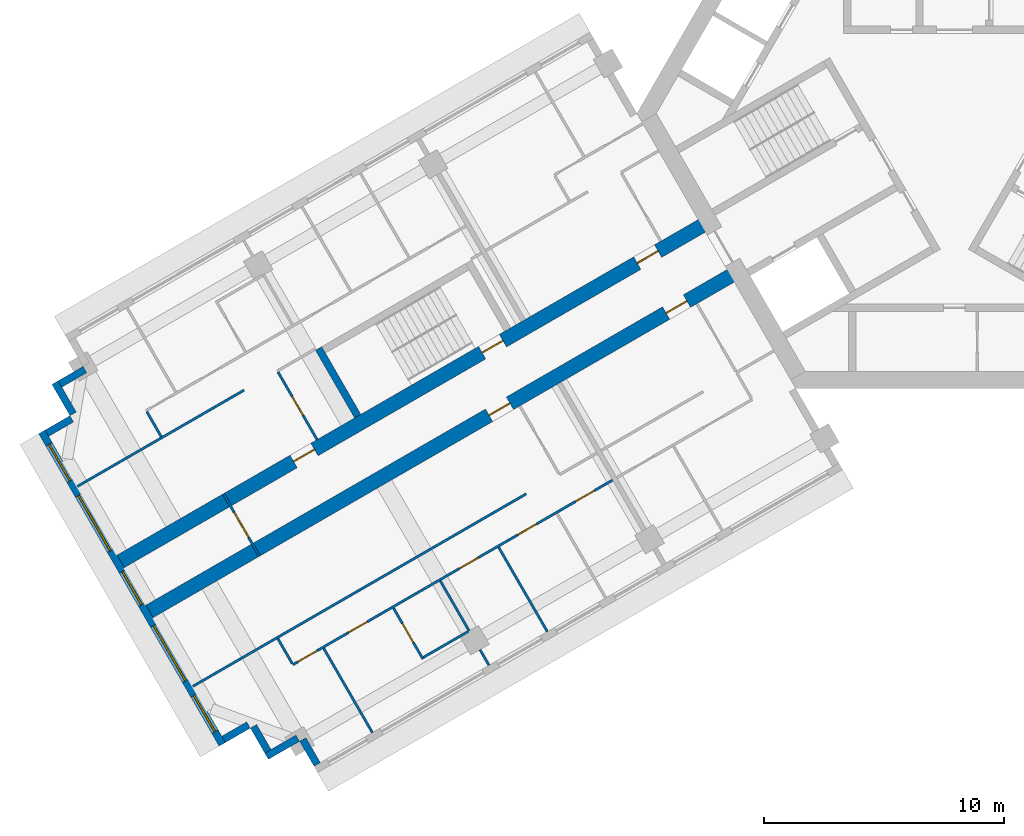
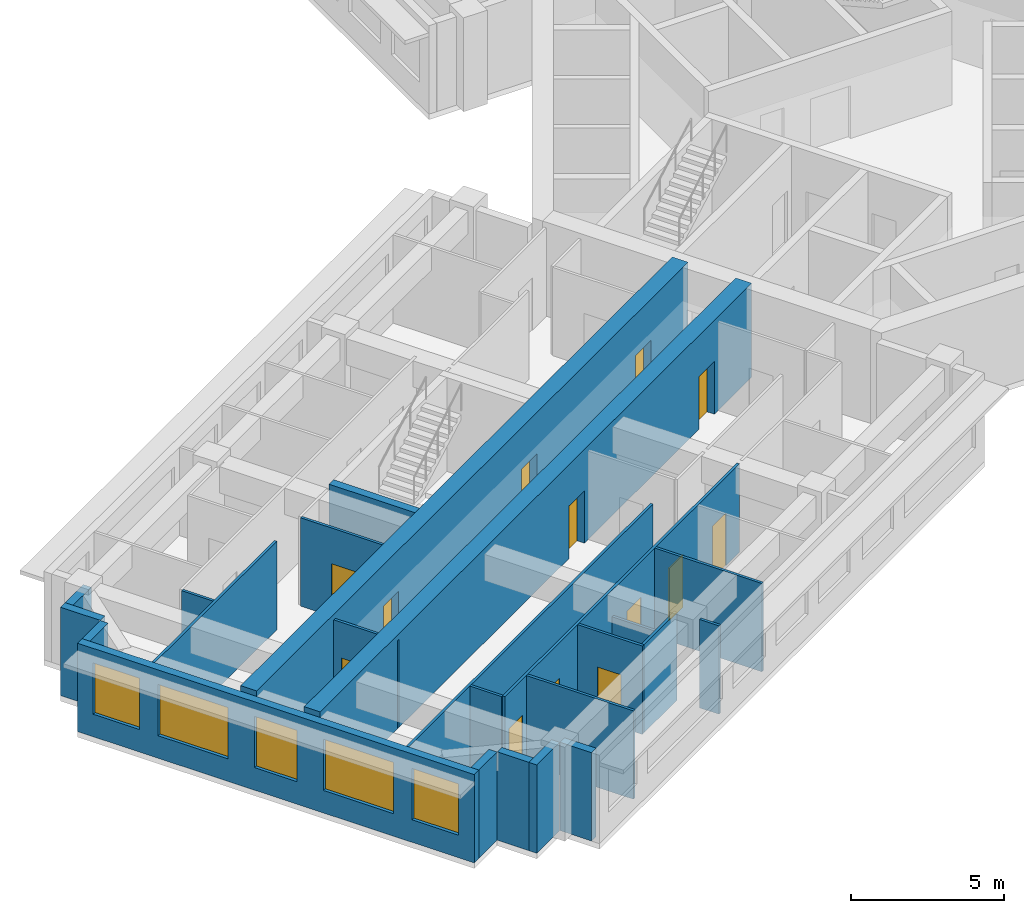
# One storey, part 2 of 12: 24 walls, 13 doors, 5 windows, 18 openings.
"""IFC4 building model written with IfcOpenShell, lengths in metres."""

from ifc_helpers import new_model, si_unit, direction, frame, frame_2d, origin, place, context, subcontext, project, spatial, rectangle, extrude, material, layer, layer_set, type_object, element, fill, save


model = new_model("IFC4")

# Units and contexts
model_context = context("Model", 3, precision=1e-05, world=origin(), true_north=direction((0.0, 1.0)))
body_context = subcontext(model_context, "Body", "Model", "MODEL_VIEW")
ifc_project = project(units=[si_unit("LENGTHUNIT", "METRE"), si_unit("AREAUNIT", "SQUARE_METRE"), si_unit("VOLUMEUNIT", "CUBIC_METRE"), si_unit("PLANEANGLEUNIT", "RADIAN"), si_unit("MASSUNIT", "GRAM", prefix="KILO")], contexts=[model_context])

# Site, building, storey
site_placement = place(None, origin())
site = spatial("IfcSite", under=ifc_project, at=site_placement, CompositionType="ELEMENT")
building_placement = place(site_placement, origin())
building = spatial("IfcBuilding", under=site, at=building_placement, Name="Impinga Residences", CompositionType="ELEMENT")
storey_placement = place(building_placement, frame((0.0, 0.0, 211.0)))
storey = spatial("IfcBuildingStorey", under=building, at=storey_placement, Name="L52", CompositionType="ELEMENT", Elevation=211.0)

# Wall, openings, doors
ifc_material_1 = material(Name="Concrete C60/75", Category="concrete")
ifc_layer_1 = layer(ifc_material_1, 0.60009765625)
ifc_layer_set_1 = layer_set([ifc_layer_1], Name="Concrete C60/75")
wall_type_1 = type_object("IfcWallType", Name="BW3 corridor buttress wall, L46 to L73 600", PredefinedType="SHEAR", material=ifc_layer_set_1)
wall_1_placement = place(storey_placement, frame((-8.996826171875, -6.580078125, 0.0), z_axis=(0.0, 0.0, 1.0), x_axis=(-0.866026415941, -0.499998246889, 0.0)))
wall_1 = element("IfcWall", 1, at=wall_1_placement, inside=storey, type_object=wall_type_1, Name="Corridor wall BW3 WC L52", PredefinedType="SHEAR", context=body_context, shape_type="SweptSolid", body=[
    extrude(rectangle(XDim=28.25, YDim=0.60009765625, at=frame_2d((14.125, 0.0))), origin(), (0.0, 0.0, 1.0), 3.75),
])
opening_1_placement = place(wall_1_placement, frame((2.449951171875, 0.0, 0.0)))
opening_1 = element("IfcOpeningElement", 2, at=opening_1_placement, cuts=wall_1, Name="Opening D1", PredefinedType="OPENING", context=body_context, shape_type="SweptSolid", body=[
    extrude(rectangle(XDim=1.0, YDim=2.10009765625, at=frame_2d((0.5, 1.050048828125))), frame((0.0, 0.31005859375, 0.0), z_axis=(0.0, -1.0, 0.0), x_axis=(1.0, 0.0, 0.0)), (0.0, 0.0, 1.0), 0.6201171875),
])
opening_2_placement = place(wall_1_placement, frame((10.949951171875, 0.0, 0.0)))
opening_2 = element("IfcOpeningElement", 3, at=opening_2_placement, cuts=wall_1, Name="Opening D1", PredefinedType="OPENING", context=body_context, shape_type="SweptSolid", body=[
    extrude(rectangle(XDim=1.0, YDim=2.10009765625, at=frame_2d((0.5, 1.050048828125))), frame((0.0, 0.31005859375, 0.0), z_axis=(0.0, -1.0, 0.0), x_axis=(1.0, 0.0, 0.0)), (0.0, 0.0, 1.0), 0.6201171875),
])
ifc_material_2 = material(Name="Timber door set", Category="wood")
door_type_1 = type_object("IfcDoorType", Name="D1 apartment entrance door 1000x2100", OperationType="SINGLE_SWING_LEFT", PredefinedType="DOOR", material=ifc_material_2)
door_1_placement = place(opening_1_placement, origin())
door_1 = element("IfcDoor", 4, at=door_1_placement, inside=storey, type_object=door_type_1, Name="Apartment L52-WA1 entrance", OperationType="SINGLE_SWING_LEFT", OverallHeight=2.10009765625, OverallWidth=1.0, PredefinedType="DOOR", context=body_context, shape_type="SweptSolid", body=[
    extrude(rectangle(XDim=1.0, YDim=2.10009765625, at=frame_2d((0.5, 1.050048828125))), frame((0.0, 0.02490234375, 0.0), z_axis=(0.0, -1.0, 0.0), x_axis=(1.0, 0.0, 0.0)), (0.0, 0.0, 1.0), 0.050048828125),
])
fill(opening_1, door_1)
door_2_placement = place(opening_2_placement, origin())
door_2 = element("IfcDoor", 5, at=door_2_placement, inside=storey, type_object=door_type_1, Name="Apartment L52-WA2 entrance", OperationType="SINGLE_SWING_LEFT", OverallHeight=2.10009765625, OverallWidth=1.0, PredefinedType="DOOR", context=body_context, shape_type="SweptSolid", body=[
    extrude(rectangle(XDim=1.0, YDim=2.10009765625, at=frame_2d((0.5, 1.050048828125))), frame((0.0, 0.02490234375, 0.0), z_axis=(0.0, -1.0, 0.0), x_axis=(1.0, 0.0, 0.0)), (0.0, 0.0, 1.0), 0.050048828125),
])
fill(opening_2, door_2)

wall_2_placement = place(storey_placement, frame((-10.19677734375, -4.50146484375, 0.0), z_axis=(0.0, 0.0, 1.0), x_axis=(-0.866026415941, -0.499998246889, 0.0)))
wall_2 = element("IfcWall", 6, at=wall_2_placement, inside=storey, type_object=wall_type_1, Name="Corridor wall BW3 WD L52", PredefinedType="SHEAR", context=body_context, shape_type="SweptSolid", body=[
    extrude(rectangle(XDim=28.25, YDim=0.60009765625, at=frame_2d((14.125, 0.0))), origin(), (0.0, 0.0, 1.0), 3.75),
])
opening_3_placement = place(wall_2_placement, frame((9.89990234375, 0.0, 0.0)))
opening_3 = element("IfcOpeningElement", 7, at=opening_3_placement, cuts=wall_2, Name="Opening D5", PredefinedType="OPENING", context=body_context, shape_type="SweptSolid", body=[
    extrude(rectangle(XDim=1.0, YDim=2.10009765625, at=frame_2d((0.5, 1.050048828125))), frame((0.0, 0.31005859375, 0.0), z_axis=(0.0, -1.0, 0.0), x_axis=(1.0, 0.0, 0.0)), (0.0, 0.0, 1.0), 0.6201171875),
])
opening_4_placement = place(wall_2_placement, frame((2.449951171875, 0.0, 0.0)))
opening_4 = element("IfcOpeningElement", 8, at=opening_4_placement, cuts=wall_2, Name="Opening D1", PredefinedType="OPENING", context=body_context, shape_type="SweptSolid", body=[
    extrude(rectangle(XDim=1.0, YDim=2.10009765625, at=frame_2d((0.5, 1.050048828125))), frame((0.0, 0.31005859375, 0.0), z_axis=(0.0, -1.0, 0.0), x_axis=(1.0, 0.0, 0.0)), (0.0, 0.0, 1.0), 0.6201171875),
])
opening_5_placement = place(wall_2_placement, frame((18.949951171875, 0.0, 0.0)))
opening_5 = element("IfcOpeningElement", 9, at=opening_5_placement, cuts=wall_2, Name="Opening D1", PredefinedType="OPENING", context=body_context, shape_type="SweptSolid", body=[
    extrude(rectangle(XDim=1.0, YDim=2.10009765625, at=frame_2d((0.5, 1.050048828125))), frame((0.0, 0.31005859375, 0.0), z_axis=(0.0, -1.0, 0.0), x_axis=(1.0, 0.0, 0.0)), (0.0, 0.0, 1.0), 0.6201171875),
])
door_3_placement = place(opening_4_placement, origin())
door_3 = element("IfcDoor", 10, at=door_3_placement, inside=storey, type_object=door_type_1, Name="Apartment L52-WF1 entrance", OperationType="SINGLE_SWING_LEFT", OverallHeight=2.10009765625, OverallWidth=1.0, PredefinedType="DOOR", context=body_context, shape_type="SweptSolid", body=[
    extrude(rectangle(XDim=1.0, YDim=2.10009765625, at=frame_2d((0.5, 1.050048828125))), frame((0.0, 0.02490234375, 0.0), z_axis=(0.0, -1.0, 0.0), x_axis=(1.0, 0.0, 0.0)), (0.0, 0.0, 1.0), 0.050048828125),
])
fill(opening_4, door_3)
door_4_placement = place(opening_5_placement, origin())
door_4 = element("IfcDoor", 11, at=door_4_placement, inside=storey, type_object=door_type_1, Name="Apartment L52-WF2 entrance", OperationType="SINGLE_SWING_RIGHT", OverallHeight=2.10009765625, OverallWidth=1.0, PredefinedType="DOOR", context=body_context, shape_type="SweptSolid", body=[
    extrude(rectangle(XDim=1.0, YDim=2.10009765625, at=frame_2d((0.5, 1.050048828125))), frame((0.0, 0.02490234375, 0.0), z_axis=(0.0, -1.0, 0.0), x_axis=(1.0, 0.0, 0.0)), (0.0, 0.0, 1.0), 0.050048828125),
])
fill(opening_5, door_4)
door_type_2 = type_object("IfcDoorType", Name="D5 stair door 1000x2100", OperationType="SINGLE_SWING_LEFT", PredefinedType="DOOR", material=ifc_material_2)
door_5_placement = place(opening_3_placement, origin())
door_5 = element("IfcDoor", 12, at=door_5_placement, inside=storey, type_object=door_type_2, Name="Wing stair door W", OperationType="SINGLE_SWING_LEFT", OverallHeight=2.10009765625, OverallWidth=1.0, PredefinedType="DOOR", context=body_context, shape_type="SweptSolid", body=[
    extrude(rectangle(XDim=1.0, YDim=2.10009765625, at=frame_2d((0.5, 1.050048828125))), frame((0.0, 0.02490234375, 0.0), z_axis=(0.0, -1.0, 0.0), x_axis=(1.0, 0.0, 0.0)), (0.0, 0.0, 1.0), 0.050048828125),
])
fill(opening_3, door_5)

# Wall, opening, door
ifc_material_3 = material(Name="Concrete blockwork", Category="masonry")
ifc_layer_2 = layer(ifc_material_3, 0.10009765625)
ifc_layer_set_2 = layer_set([ifc_layer_2], Name="CP1 core room partition, blockwork 100")
wall_type_2 = type_object("IfcWallType", Name="CP1 core room partition, blockwork 100", PredefinedType="PARTITIONING", material=ifc_layer_set_2)
wall_3_placement = place(storey_placement, frame((-28.895263671875, -18.414794921875, 0.0), z_axis=(0.0, 0.0, 1.0), x_axis=(-0.499990139034, 0.866031096941, 0.0)))
wall_3 = element("IfcWall", 13, at=wall_3_placement, inside=storey, type_object=wall_type_2, Name="Core room partition, blockwork L52:W:LNG", PredefinedType="PARTITIONING", context=body_context, shape_type="SweptSolid", body=[
    extrude(rectangle(XDim=3.0, YDim=0.10009765625, at=frame_2d((1.5, 0.0))), origin(), (0.0, 0.0, 1.0), 3.530029296875),
])
opening_6_placement = place(wall_3_placement, frame((0.89990234375, 0.0, 0.0)))
opening_6 = element("IfcOpeningElement", 14, at=opening_6_placement, cuts=wall_3, Name="Opening D3", PredefinedType="OPENING", context=body_context, shape_type="SweptSolid", body=[
    extrude(rectangle(XDim=1.199951171875, YDim=2.10009765625, at=frame_2d((0.60009765625, 1.050048828125))), frame((0.0, 0.06005859375, 0.0), z_axis=(0.0, -1.0, 0.0), x_axis=(1.0, 0.0, 0.0)), (0.0, 0.0, 1.0), 0.1201171875),
])
door_type_3 = type_object("IfcDoorType", Name="D3 room door, leaf and a half 1200x2100", OperationType="DOUBLE_SWING_LEFT", PredefinedType="DOOR", material=ifc_material_2)
door_6_placement = place(opening_6_placement, origin())
door_6 = element("IfcDoor", 15, at=door_6_placement, inside=storey, type_object=door_type_3, Name="Residents' lounge door W", OperationType="DOUBLE_SWING_LEFT", OverallHeight=2.10009765625, OverallWidth=1.199951171875, PredefinedType="DOOR", context=body_context, shape_type="SweptSolid", body=[
    extrude(rectangle(XDim=1.199951171875, YDim=2.10009765625, at=frame_2d((0.60009765625, 1.050048828125))), frame((0.0, 0.02490234375, 0.0), z_axis=(0.0, -1.0, 0.0), x_axis=(1.0, 0.0, 0.0)), (0.0, 0.0, 1.0), 0.050048828125),
])
fill(opening_6, door_6)

# Walls
ifc_material_4 = material(Name="Terracotta rainscreen on blockwork", Category="masonry")
ifc_layer_3 = layer(ifc_material_4, 0.300048828125)
ifc_layer_set_3 = layer_set([ifc_layer_3], Name="EW1 external wall, terracotta rainscreen on blockwork 300")
wall_type_3 = type_object("IfcWallType", Name="EW1 external wall, terracotta rainscreen on blockwork 300", PredefinedType="SOLIDWALL", material=ifc_layer_set_3)
wall_4_placement = place(storey_placement, frame((-26.493896484375, -27.07421875, 0.0), z_axis=(0.0, 0.0, 1.0), x_axis=(-0.500033551112, 0.866006032174, 0.0)))
element("IfcWall", 16, at=wall_4_placement, inside=storey, type_object=wall_type_3, Name="External wall EW1 L52", PredefinedType="SOLIDWALL", context=body_context, shape_type="SweptSolid", body=[
    extrude(rectangle(XDim=1.2001953125, YDim=0.300048828125, at=frame_2d((0.60009765625, 0.0))), origin(), (0.0, 0.0, 1.0), 3.530029296875),
])
wall_5_placement = place(storey_placement, frame((-27.30322265625, -25.982666015625, 0.0), z_axis=(0.0, 0.0, 1.0), x_axis=(-0.866074087889, -0.499915667175, 0.0)))
element("IfcWall", 17, at=wall_5_placement, inside=storey, type_object=wall_type_3, Name="External wall EW1 L52", PredefinedType="SOLIDWALL", context=body_context, shape_type="SweptSolid", body=[
    extrude(rectangle(XDim=1.494873046875, YDim=0.300048828125, at=frame_2d((0.74755859375, 0.0))), origin(), (0.0, 0.0, 1.0), 3.530029296875),
])
wall_6_placement = place(storey_placement, frame((-28.54296875, -26.525146484375, 0.0), z_axis=(0.0, 0.0, 1.0), x_axis=(-0.500033551112, 0.866006032174, 0.0)))
element("IfcWall", 18, at=wall_6_placement, inside=storey, type_object=wall_type_3, Name="External wall EW1 L52", PredefinedType="SOLIDWALL", context=body_context, shape_type="SweptSolid", body=[
    extrude(rectangle(XDim=1.2001953125, YDim=0.300048828125, at=frame_2d((0.60009765625, 0.0))), origin(), (0.0, 0.0, 1.0), 3.530029296875),
])
wall_7_placement = place(storey_placement, frame((-29.352294921875, -25.43359375, 0.0), z_axis=(0.0, 0.0, 1.0), x_axis=(-0.866059708757, -0.499940577336, 0.0)))
element("IfcWall", 19, at=wall_7_placement, inside=storey, type_object=wall_type_3, Name="External wall EW1 L52", PredefinedType="SOLIDWALL", context=body_context, shape_type="SweptSolid", body=[
    extrude(rectangle(XDim=1.195068359375, YDim=0.300048828125, at=frame_2d((0.59765625, 0.0))), origin(), (0.0, 0.0, 1.0), 3.530029296875),
])

# Wall, openings, windows
wall_8_placement = place(storey_placement, frame((-30.44189453125, -26.23583984375, 0.0), z_axis=(0.0, 0.0, 1.0), x_axis=(-0.500004234368, 0.866022959057, 0.0)))
wall_8 = element("IfcWall", 20, at=wall_8_placement, inside=storey, type_object=wall_type_3, Name="External wall EW1 L52", PredefinedType="SOLIDWALL", context=body_context, shape_type="SweptSolid", body=[
    extrude(rectangle(XDim=14.999755859375, YDim=0.300048828125, at=frame_2d((7.5, 0.0))), origin(), (0.0, 0.0, 1.0), 3.530029296875),
])
opening_7_placement = place(wall_8_placement, frame((0.60009765625, 0.0, 0.89990234375)))
opening_7 = element("IfcOpeningElement", 21, at=opening_7_placement, cuts=wall_8, Name="Opening W1", PredefinedType="OPENING", context=body_context, shape_type="SweptSolid", body=[
    extrude(rectangle(XDim=1.75, YDim=2.050048828125, at=frame_2d((0.875, 1.02490234375))), frame((0.0, 0.159912109375, 0.0), z_axis=(0.0, -1.0, 0.0), x_axis=(1.0, 0.0, 0.0)), (0.0, 0.0, 1.0), 0.320068359375),
])
opening_8_placement = place(wall_8_placement, frame((3.050048828125, 0.0, 0.89990234375)))
opening_8 = element("IfcOpeningElement", 22, at=opening_8_placement, cuts=wall_8, Name="Opening W18", PredefinedType="OPENING", context=body_context, shape_type="SweptSolid", body=[
    extrude(rectangle(XDim=2.64990234375, YDim=2.050048828125, at=frame_2d((1.324951171875, 1.02490234375))), frame((0.0, 0.159912109375, 0.0), z_axis=(0.0, -1.0, 0.0), x_axis=(1.0, 0.0, 0.0)), (0.0, 0.0, 1.0), 0.320068359375),
])
opening_9_placement = place(wall_8_placement, frame((6.699951171875, 0.0, 0.89990234375)))
opening_9 = element("IfcOpeningElement", 23, at=opening_9_placement, cuts=wall_8, Name="Opening W19", PredefinedType="OPENING", context=body_context, shape_type="SweptSolid", body=[
    extrude(rectangle(XDim=1.60009765625, YDim=2.050048828125, at=frame_2d((0.800048828125, 1.02490234375))), frame((0.0, 0.159912109375, 0.0), z_axis=(0.0, -1.0, 0.0), x_axis=(1.0, 0.0, 0.0)), (0.0, 0.0, 1.0), 0.320068359375),
])
opening_10_placement = place(wall_8_placement, frame((9.300048828125, 0.0, 0.89990234375)))
opening_10 = element("IfcOpeningElement", 24, at=opening_10_placement, cuts=wall_8, Name="Opening W18", PredefinedType="OPENING", context=body_context, shape_type="SweptSolid", body=[
    extrude(rectangle(XDim=2.64990234375, YDim=2.050048828125, at=frame_2d((1.324951171875, 1.02490234375))), frame((0.0, 0.159912109375, 0.0), z_axis=(0.0, -1.0, 0.0), x_axis=(1.0, 0.0, 0.0)), (0.0, 0.0, 1.0), 0.320068359375),
])
opening_11_placement = place(wall_8_placement, frame((12.64990234375, 0.0, 0.89990234375)))
opening_11 = element("IfcOpeningElement", 25, at=opening_11_placement, cuts=wall_8, Name="Opening W1", PredefinedType="OPENING", context=body_context, shape_type="SweptSolid", body=[
    extrude(rectangle(XDim=1.75, YDim=2.050048828125, at=frame_2d((0.875, 1.02490234375))), frame((0.0, 0.159912109375, 0.0), z_axis=(0.0, -1.0, 0.0), x_axis=(1.0, 0.0, 0.0)), (0.0, 0.0, 1.0), 0.320068359375),
])
ifc_material_5 = material(Name="Aluminium window, clear double glazing", Category="aluminium")
window_type_1 = type_object("IfcWindowType", Name="W1 ribbon window 1750x2050", PartitioningType="SINGLE_PANEL", PredefinedType="WINDOW", material=ifc_material_5)
window_1_placement = place(opening_7_placement, origin())
window_1 = element("IfcWindow", 26, at=window_1_placement, inside=storey, type_object=window_type_1, Name="Window L52", OverallHeight=2.050048828125, OverallWidth=1.75, PartitioningType="SINGLE_PANEL", PredefinedType="WINDOW", context=body_context, shape_type="SweptSolid", body=[
    extrude(rectangle(XDim=1.75, YDim=2.050048828125, at=frame_2d((0.875, 1.02490234375))), frame((0.0, 0.030029296875, 0.0), z_axis=(0.0, -1.0, 0.0), x_axis=(1.0, 0.0, 0.0)), (0.0, 0.0, 1.0), 0.06005859375),
])
fill(opening_7, window_1)
window_2_placement = place(opening_11_placement, origin())
window_2 = element("IfcWindow", 27, at=window_2_placement, inside=storey, type_object=window_type_1, Name="Window L52", OverallHeight=2.050048828125, OverallWidth=1.75, PartitioningType="SINGLE_PANEL", PredefinedType="WINDOW", context=body_context, shape_type="SweptSolid", body=[
    extrude(rectangle(XDim=1.75, YDim=2.050048828125, at=frame_2d((0.875, 1.02490234375))), frame((0.0, 0.030029296875, 0.0), z_axis=(0.0, -1.0, 0.0), x_axis=(1.0, 0.0, 0.0)), (0.0, 0.0, 1.0), 0.06005859375),
])
fill(opening_11, window_2)
window_type_2 = type_object("IfcWindowType", Name="W18 ribbon window 2650x2050", PartitioningType="SINGLE_PANEL", PredefinedType="WINDOW", material=ifc_material_5)
window_3_placement = place(opening_8_placement, origin())
window_3 = element("IfcWindow", 28, at=window_3_placement, inside=storey, type_object=window_type_2, Name="Window L52", OverallHeight=2.050048828125, OverallWidth=2.64990234375, PartitioningType="SINGLE_PANEL", PredefinedType="WINDOW", context=body_context, shape_type="SweptSolid", body=[
    extrude(rectangle(XDim=2.64990234375, YDim=2.050048828125, at=frame_2d((1.324951171875, 1.02490234375))), frame((0.0, 0.030029296875, 0.0), z_axis=(0.0, -1.0, 0.0), x_axis=(1.0, 0.0, 0.0)), (0.0, 0.0, 1.0), 0.06005859375),
])
fill(opening_8, window_3)
window_4_placement = place(opening_10_placement, origin())
window_4 = element("IfcWindow", 29, at=window_4_placement, inside=storey, type_object=window_type_2, Name="Window L52", OverallHeight=2.050048828125, OverallWidth=2.64990234375, PartitioningType="SINGLE_PANEL", PredefinedType="WINDOW", context=body_context, shape_type="SweptSolid", body=[
    extrude(rectangle(XDim=2.64990234375, YDim=2.050048828125, at=frame_2d((1.324951171875, 1.02490234375))), frame((0.0, 0.030029296875, 0.0), z_axis=(0.0, -1.0, 0.0), x_axis=(1.0, 0.0, 0.0)), (0.0, 0.0, 1.0), 0.06005859375),
])
fill(opening_10, window_4)
window_type_3 = type_object("IfcWindowType", Name="W19 ribbon window 1600x2050", PartitioningType="SINGLE_PANEL", PredefinedType="WINDOW", material=ifc_material_5)
window_5_placement = place(opening_9_placement, origin())
window_5 = element("IfcWindow", 30, at=window_5_placement, inside=storey, type_object=window_type_3, Name="Window L52", OverallHeight=2.050048828125, OverallWidth=1.60009765625, PartitioningType="SINGLE_PANEL", PredefinedType="WINDOW", context=body_context, shape_type="SweptSolid", body=[
    extrude(rectangle(XDim=1.60009765625, YDim=2.050048828125, at=frame_2d((0.800048828125, 1.02490234375))), frame((0.0, 0.030029296875, 0.0), z_axis=(0.0, -1.0, 0.0), x_axis=(1.0, 0.0, 0.0)), (0.0, 0.0, 1.0), 0.06005859375),
])
fill(opening_9, window_5)

# Walls
wall_9_placement = place(storey_placement, frame((-37.737060546875, -13.300537109375, 0.0), z_axis=(0.0, 0.0, 1.0), x_axis=(0.865971243484, 0.500093796661, 0.0)))
element("IfcWall", 31, at=wall_9_placement, inside=storey, type_object=wall_type_3, Name="External wall EW1 L52", PredefinedType="SOLIDWALL", context=body_context, shape_type="SweptSolid", body=[
    extrude(rectangle(XDim=1.195068359375, YDim=0.300048828125, at=frame_2d((0.59765625, 0.0))), origin(), (0.0, 0.0, 1.0), 3.530029296875),
])
wall_10_placement = place(storey_placement, frame((-36.64306640625, -12.49560546875, 0.0), z_axis=(0.0, 0.0, 1.0), x_axis=(-0.499990139034, 0.866031096941, 0.0)))
element("IfcWall", 32, at=wall_10_placement, inside=storey, type_object=wall_type_3, Name="External wall EW1 L52", PredefinedType="SOLIDWALL", context=body_context, shape_type="SweptSolid", body=[
    extrude(rectangle(XDim=1.5, YDim=0.300048828125, at=frame_2d((0.75, 0.0))), origin(), (0.0, 0.0, 1.0), 3.530029296875),
])
wall_11_placement = place(storey_placement, frame((-37.18798828125, -11.25146484375, 0.0), z_axis=(0.0, 0.0, 1.0), x_axis=(0.866059708757, 0.499940577336, 0.0)))
element("IfcWall", 33, at=wall_11_placement, inside=storey, type_object=wall_type_3, Name="External wall EW1 L52", PredefinedType="SOLIDWALL", context=body_context, shape_type="SweptSolid", body=[
    extrude(rectangle(XDim=1.195068359375, YDim=0.300048828125, at=frame_2d((0.59765625, 0.0))), origin(), (0.0, 0.0, 1.0), 3.530029296875),
])
ifc_material_6 = material(Name="Gypsum board on steel studs", Category="steel")
ifc_layer_4 = layer(ifc_material_6, 0.10009765625)
ifc_layer_set_4 = layer_set([ifc_layer_4], Name="Gypsum board on steel studs")
wall_type_4 = type_object("IfcWallType", Name="IP1 partition 100", PredefinedType="PARTITIONING", material=ifc_layer_set_4)
wall_12_placement = place(storey_placement, frame((-17.8056640625, -15.82275390625, 0.0), z_axis=(0.0, 0.0, 1.0), x_axis=(-0.866026010844, -0.49999894854, 0.0)))
element("IfcWall", 34, at=wall_12_placement, inside=storey, type_object=wall_type_4, Name="Partition L52-WA2:DIV1", PredefinedType="PARTITIONING", context=body_context, shape_type="SweptSolid", body=[
    extrude(rectangle(XDim=16.0, YDim=0.10009765625, at=frame_2d((8.0, 0.0))), origin(), (0.0, 0.0, 1.0), 3.530029296875),
])

# Wall, openings, doors
wall_13_placement = place(storey_placement, frame((-14.211181640625, -15.24853515625, 0.0), z_axis=(0.0, 0.0, 1.0), x_axis=(-0.866023490266, -0.500003314297, 0.0)))
wall_13 = element("IfcWall", 35, at=wall_13_placement, inside=storey, type_object=wall_type_4, Name="Partition L52-WA2:STRIP", PredefinedType="PARTITIONING", context=body_context, shape_type="SweptSolid", body=[
    extrude(rectangle(XDim=15.35009765625, YDim=0.10009765625, at=frame_2d((7.675048828125, 0.0))), origin(), (0.0, 0.0, 1.0), 3.530029296875),
])
opening_12_placement = place(wall_13_placement, frame((0.875, 0.0, 0.0)))
opening_12 = element("IfcOpeningElement", 36, at=opening_12_placement, cuts=wall_13, Name="Opening D2", PredefinedType="OPENING", context=body_context, shape_type="SweptSolid", body=[
    extrude(rectangle(XDim=0.89990234375, YDim=2.10009765625, at=frame_2d((0.449951171875, 1.050048828125))), frame((0.0, 0.06005859375, 0.0), z_axis=(0.0, -1.0, 0.0), x_axis=(1.0, 0.0, 0.0)), (0.0, 0.0, 1.0), 0.1201171875),
])
opening_13_placement = place(wall_13_placement, frame((3.64990234375, 0.0, 0.0)))
opening_13 = element("IfcOpeningElement", 37, at=opening_13_placement, cuts=wall_13, Name="Opening D2", PredefinedType="OPENING", context=body_context, shape_type="SweptSolid", body=[
    extrude(rectangle(XDim=0.89990234375, YDim=2.10009765625, at=frame_2d((0.449951171875, 1.050048828125))), frame((0.0, 0.06005859375, 0.0), z_axis=(0.0, -1.0, 0.0), x_axis=(1.0, 0.0, 0.0)), (0.0, 0.0, 1.0), 0.1201171875),
])
opening_14_placement = place(wall_13_placement, frame((6.449951171875, 0.0, 0.0)))
opening_14 = element("IfcOpeningElement", 38, at=opening_14_placement, cuts=wall_13, Name="Opening D2", PredefinedType="OPENING", context=body_context, shape_type="SweptSolid", body=[
    extrude(rectangle(XDim=0.89990234375, YDim=2.10009765625, at=frame_2d((0.449951171875, 1.050048828125))), frame((0.0, 0.06005859375, 0.0), z_axis=(0.0, -1.0, 0.0), x_axis=(1.0, 0.0, 0.0)), (0.0, 0.0, 1.0), 0.1201171875),
])
opening_15_placement = place(wall_13_placement, frame((11.77490234375, 0.0, 0.0)))
opening_15 = element("IfcOpeningElement", 39, at=opening_15_placement, cuts=wall_13, Name="Opening D2", PredefinedType="OPENING", context=body_context, shape_type="SweptSolid", body=[
    extrude(rectangle(XDim=0.89990234375, YDim=2.10009765625, at=frame_2d((0.449951171875, 1.050048828125))), frame((0.0, 0.06005859375, 0.0), z_axis=(0.0, -1.0, 0.0), x_axis=(1.0, 0.0, 0.0)), (0.0, 0.0, 1.0), 0.1201171875),
])
opening_16_placement = place(wall_13_placement, frame((14.199951171875, 0.0, 0.0)))
opening_16 = element("IfcOpeningElement", 40, at=opening_16_placement, cuts=wall_13, Name="Opening D2", PredefinedType="OPENING", context=body_context, shape_type="SweptSolid", body=[
    extrude(rectangle(XDim=0.89990234375, YDim=2.10009765625, at=frame_2d((0.449951171875, 1.050048828125))), frame((0.0, 0.06005859375, 0.0), z_axis=(0.0, -1.0, 0.0), x_axis=(1.0, 0.0, 0.0)), (0.0, 0.0, 1.0), 0.1201171875),
])
door_type_4 = type_object("IfcDoorType", Name="D2 internal door 900x2100", OperationType="SINGLE_SWING_LEFT", PredefinedType="DOOR", material=ifc_material_2)
door_7_placement = place(opening_12_placement, origin())
door_7 = element("IfcDoor", 41, at=door_7_placement, inside=storey, type_object=door_type_4, Name="Apartment L52-WA2 room door", OperationType="SINGLE_SWING_LEFT", OverallHeight=2.10009765625, OverallWidth=0.89990234375, PredefinedType="DOOR", context=body_context, shape_type="SweptSolid", body=[
    extrude(rectangle(XDim=0.89990234375, YDim=2.10009765625, at=frame_2d((0.449951171875, 1.050048828125))), frame((0.0, 0.02490234375, 0.0), z_axis=(0.0, -1.0, 0.0), x_axis=(1.0, 0.0, 0.0)), (0.0, 0.0, 1.0), 0.050048828125),
])
fill(opening_12, door_7)
door_8_placement = place(opening_13_placement, origin())
door_8 = element("IfcDoor", 42, at=door_8_placement, inside=storey, type_object=door_type_4, Name="Apartment L52-WA2 room door", OperationType="SINGLE_SWING_LEFT", OverallHeight=2.10009765625, OverallWidth=0.89990234375, PredefinedType="DOOR", context=body_context, shape_type="SweptSolid", body=[
    extrude(rectangle(XDim=0.89990234375, YDim=2.10009765625, at=frame_2d((0.449951171875, 1.050048828125))), frame((0.0, 0.02490234375, 0.0), z_axis=(0.0, -1.0, 0.0), x_axis=(1.0, 0.0, 0.0)), (0.0, 0.0, 1.0), 0.050048828125),
])
fill(opening_13, door_8)
door_9_placement = place(opening_14_placement, origin())
door_9 = element("IfcDoor", 43, at=door_9_placement, inside=storey, type_object=door_type_4, Name="Apartment L52-WA2 room door", OperationType="SINGLE_SWING_LEFT", OverallHeight=2.10009765625, OverallWidth=0.89990234375, PredefinedType="DOOR", context=body_context, shape_type="SweptSolid", body=[
    extrude(rectangle(XDim=0.89990234375, YDim=2.10009765625, at=frame_2d((0.449951171875, 1.050048828125))), frame((0.0, 0.02490234375, 0.0), z_axis=(0.0, -1.0, 0.0), x_axis=(1.0, 0.0, 0.0)), (0.0, 0.0, 1.0), 0.050048828125),
])
fill(opening_14, door_9)
door_10_placement = place(opening_15_placement, origin())
door_10 = element("IfcDoor", 44, at=door_10_placement, inside=storey, type_object=door_type_4, Name="Apartment L52-WA2 room door", OperationType="SINGLE_SWING_RIGHT", OverallHeight=2.10009765625, OverallWidth=0.89990234375, PredefinedType="DOOR", context=body_context, shape_type="SweptSolid", body=[
    extrude(rectangle(XDim=0.89990234375, YDim=2.10009765625, at=frame_2d((0.449951171875, 1.050048828125))), frame((0.0, 0.02490234375, 0.0), z_axis=(0.0, -1.0, 0.0), x_axis=(1.0, 0.0, 0.0)), (0.0, 0.0, 1.0), 0.050048828125),
])
fill(opening_15, door_10)
door_11_placement = place(opening_16_placement, origin())
door_11 = element("IfcDoor", 45, at=door_11_placement, inside=storey, type_object=door_type_4, Name="Apartment L52-WA2 room door", OperationType="SINGLE_SWING_RIGHT", OverallHeight=2.10009765625, OverallWidth=0.89990234375, PredefinedType="DOOR", context=body_context, shape_type="SweptSolid", body=[
    extrude(rectangle(XDim=0.89990234375, YDim=2.10009765625, at=frame_2d((0.449951171875, 1.050048828125))), frame((0.0, 0.02490234375, 0.0), z_axis=(0.0, -1.0, 0.0), x_axis=(1.0, 0.0, 0.0)), (0.0, 0.0, 1.0), 0.050048828125),
])
fill(opening_16, door_11)

# Walls
wall_14_placement = place(storey_placement, frame((-28.129638671875, -21.841064453125, 0.0), z_axis=(0.0, 0.0, 1.0), x_axis=(0.499969057507, -0.866043267704, 0.0)))
element("IfcWall", 46, at=wall_14_placement, inside=storey, type_object=wall_type_4, Name="Partition L52-WA2:SE1", PredefinedType="PARTITIONING", context=body_context, shape_type="SweptSolid", body=[
    extrude(rectangle(XDim=1.19970703125, YDim=0.10009765625, at=frame_2d((0.599853515625, 0.0))), origin(), (0.0, 0.0, 1.0), 3.530029296875),
])
wall_15_placement = place(storey_placement, frame((-18.949462890625, -18.041748046875, 0.0), z_axis=(0.0, 0.0, 1.0), x_axis=(0.50000943426, -0.866019956843, 0.0)))
element("IfcWall", 47, at=wall_15_placement, inside=storey, type_object=wall_type_4, Name="Partition L52-WA2:OB2", PredefinedType="PARTITIONING", context=body_context, shape_type="SweptSolid", body=[
    extrude(rectangle(XDim=4.05029296875, YDim=0.10009765625, at=frame_2d((2.025146484375, 0.0))), origin(), (0.0, 0.0, 1.0), 3.530029296875),
])
wall_16_placement = place(storey_placement, frame((-21.374267578125, -19.44189453125, 0.0), z_axis=(0.0, 0.0, 1.0), x_axis=(0.500001309137, -0.866024647952, 0.0)))
element("IfcWall", 48, at=wall_16_placement, inside=storey, type_object=wall_type_4, Name="Partition L52-WA2:OB3", PredefinedType="PARTITIONING", context=body_context, shape_type="SweptSolid", body=[
    extrude(rectangle(XDim=2.39990234375, YDim=0.10009765625, at=frame_2d((1.199951171875, 0.0))), origin(), (0.0, 0.0, 1.0), 2.47998046875),
])
wall_17_placement = place(storey_placement, frame((-19.72412109375, -22.2998046875, 0.0), z_axis=(0.0, 0.0, 1.0), x_axis=(0.500060622324, -0.86599040064, 0.0)))
element("IfcWall", 49, at=wall_17_placement, inside=storey, type_object=wall_type_4, Name="Partition L52-WA2:OB3b", PredefinedType="PARTITIONING", context=body_context, shape_type="SweptSolid", body=[
    extrude(rectangle(XDim=0.75, YDim=0.10009765625, at=frame_2d((0.375, 0.0))), origin(), (0.0, 0.0, 1.0), 3.530029296875),
])
wall_18_placement = place(storey_placement, frame((-26.223876953125, -22.241943359375, 0.0), z_axis=(0.0, 0.0, 1.0), x_axis=(0.499990325971, -0.866030989016, 0.0)))
element("IfcWall", 50, at=wall_18_placement, inside=storey, type_object=wall_type_4, Name="Partition L52-WA2:OB4", PredefinedType="PARTITIONING", context=body_context, shape_type="SweptSolid", body=[
    extrude(rectangle(XDim=4.0498046875, YDim=0.10009765625, at=frame_2d((2.02490234375, 0.0))), origin(), (0.0, 0.0, 1.0), 3.530029296875),
])

# Wall, opening, door
wall_19_placement = place(storey_placement, frame((-23.32275390625, -20.56689453125, 0.0), z_axis=(0.0, 0.0, 1.0), x_axis=(0.499987006516, -0.866032905446, 0.0)))
wall_19 = element("IfcWall", 51, at=wall_19_placement, inside=storey, type_object=wall_type_4, Name="Partition L52-WA2:EN1", PredefinedType="PARTITIONING", context=body_context, shape_type="SweptSolid", body=[
    extrude(rectangle(XDim=2.44970703125, YDim=0.10009765625, at=frame_2d((1.224853515625, 0.0))), origin(), (0.0, 0.0, 1.0), 3.530029296875),
])
opening_17_placement = place(wall_19_placement, frame((0.75, 0.0, 0.0)))
opening_17 = element("IfcOpeningElement", 52, at=opening_17_placement, cuts=wall_19, Name="Opening D2", PredefinedType="OPENING", context=body_context, shape_type="SweptSolid", body=[
    extrude(rectangle(XDim=0.89990234375, YDim=2.10009765625, at=frame_2d((0.449951171875, 1.050048828125))), frame((0.0, 0.06005859375, 0.0), z_axis=(0.0, -1.0, 0.0), x_axis=(1.0, 0.0, 0.0)), (0.0, 0.0, 1.0), 0.1201171875),
])
door_12_placement = place(opening_17_placement, origin())
door_12 = element("IfcDoor", 53, at=door_12_placement, inside=storey, type_object=door_type_4, Name="Apartment L52-WA2 en-suite door", OperationType="SINGLE_SWING_LEFT", OverallHeight=2.10009765625, OverallWidth=0.89990234375, PredefinedType="DOOR", context=body_context, shape_type="SweptSolid", body=[
    extrude(rectangle(XDim=0.89990234375, YDim=2.10009765625, at=frame_2d((0.449951171875, 1.050048828125))), frame((0.0, 0.02490234375, 0.0), z_axis=(0.0, -1.0, 0.0), x_axis=(1.0, 0.0, 0.0)), (0.0, 0.0, 1.0), 0.050048828125),
])
fill(opening_17, door_12)

# Walls
wall_20_placement = place(storey_placement, frame((-20.217529296875, -21.545166015625, 0.0), z_axis=(0.0, 0.0, 1.0), x_axis=(-0.865998386012, -0.500046793234, 0.0)))
element("IfcWall", 54, at=wall_20_placement, inside=storey, type_object=wall_type_4, Name="Partition L52-WA2:EN2", PredefinedType="PARTITIONING", context=body_context, shape_type="SweptSolid", body=[
    extrude(rectangle(XDim=2.150146484375, YDim=0.10009765625, at=frame_2d((1.0751953125, 0.0))), origin(), (0.0, 0.0, 1.0), 3.530029296875),
])
wall_21_placement = place(storey_placement, frame((-29.533935546875, -11.5087890625, 0.0), z_axis=(0.0, 0.0, 1.0), x_axis=(-0.866026010844, -0.49999894854, 0.0)))
element("IfcWall", 55, at=wall_21_placement, inside=storey, type_object=wall_type_4, Name="Partition L52-WF2:DIV2", PredefinedType="PARTITIONING", context=body_context, shape_type="SweptSolid", body=[
    extrude(rectangle(XDim=8.0, YDim=0.10009765625, at=frame_2d((4.0, 0.0))), origin(), (0.0, 0.0, 1.0), 3.530029296875),
])
wall_22_placement = place(storey_placement, frame((-32.979736328125, -13.4404296875, 0.0), z_axis=(0.0, 0.0, 1.0), x_axis=(-0.499969057507, 0.866043267704, 0.0)))
element("IfcWall", 56, at=wall_22_placement, inside=storey, type_object=wall_type_4, Name="Partition L52-WF2:SE1", PredefinedType="PARTITIONING", context=body_context, shape_type="SweptSolid", body=[
    extrude(rectangle(XDim=1.19970703125, YDim=0.10009765625, at=frame_2d((0.599853515625, 0.0))), origin(), (0.0, 0.0, 1.0), 3.530029296875),
])

# Wall, opening, door
wall_23_placement = place(storey_placement, frame((-26.498291015625, -13.566650390625, 0.0), z_axis=(0.0, 0.0, 1.0), x_axis=(-0.500017246033, 0.866015446554, 0.0)))
wall_23 = element("IfcWall", 57, at=wall_23_placement, inside=storey, type_object=wall_type_4, Name="Partition L52-WF2:IB1", PredefinedType="PARTITIONING", context=body_context, shape_type="SweptSolid", body=[
    extrude(rectangle(XDim=3.25, YDim=0.10009765625, at=frame_2d((1.625, 0.0))), origin(), (0.0, 0.0, 1.0), 3.530029296875),
])
opening_18_placement = place(wall_23_placement, frame((1.175048828125, 0.0, 0.0)))
opening_18 = element("IfcOpeningElement", 58, at=opening_18_placement, cuts=wall_23, Name="Opening D2", PredefinedType="OPENING", context=body_context, shape_type="SweptSolid", body=[
    extrude(rectangle(XDim=0.89990234375, YDim=2.10009765625, at=frame_2d((0.449951171875, 1.050048828125))), frame((0.0, 0.06005859375, 0.0), z_axis=(0.0, -1.0, 0.0), x_axis=(1.0, 0.0, 0.0)), (0.0, 0.0, 1.0), 0.1201171875),
])
door_13_placement = place(opening_18_placement, origin())
door_13 = element("IfcDoor", 59, at=door_13_placement, inside=storey, type_object=door_type_4, Name="Apartment L52-WF2 bathroom door", OperationType="SINGLE_SWING_LEFT", OverallHeight=2.10009765625, OverallWidth=0.89990234375, PredefinedType="DOOR", context=body_context, shape_type="SweptSolid", body=[
    extrude(rectangle(XDim=0.89990234375, YDim=2.10009765625, at=frame_2d((0.449951171875, 1.050048828125))), frame((0.0, 0.02490234375, 0.0), z_axis=(0.0, -1.0, 0.0), x_axis=(1.0, 0.0, 0.0)), (0.0, 0.0, 1.0), 0.050048828125),
])
fill(opening_18, door_13)

# Wall
ifc_layer_5 = layer(ifc_material_1, 0.300048828125)
ifc_layer_set_5 = layer_set([ifc_layer_5], Name="Concrete C60/75")
wall_type_5 = type_object("IfcWallType", Name="SE1 wing stair enclosure wall 300", PredefinedType="SOLIDWALL", material=ifc_layer_set_5)
wall_24_placement = place(storey_placement, frame((-24.8095703125, -12.591796875, 0.0), z_axis=(0.0, 0.0, 1.0), x_axis=(-0.499984717929, 0.866034226713, 0.0)))
element("IfcWall", 60, at=wall_24_placement, inside=storey, type_object=wall_type_5, Name="Stair enclosure wall SE1 W END1 L52", PredefinedType="SOLIDWALL", context=body_context, shape_type="SweptSolid", body=[
    extrude(rectangle(XDim=3.25, YDim=0.300048828125, at=frame_2d((1.625, 0.0))), origin(), (0.0, 0.0, 1.0), 3.75),
])

save(model, "model.ifc")
